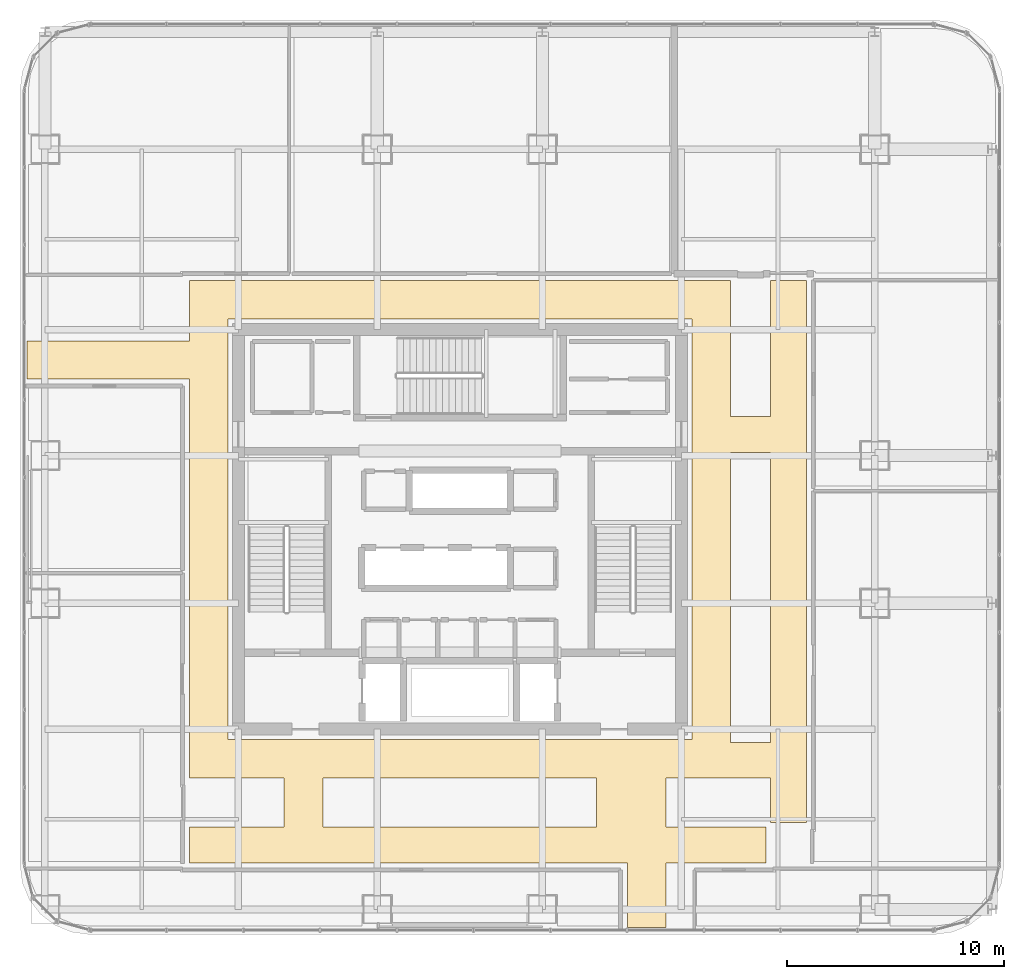
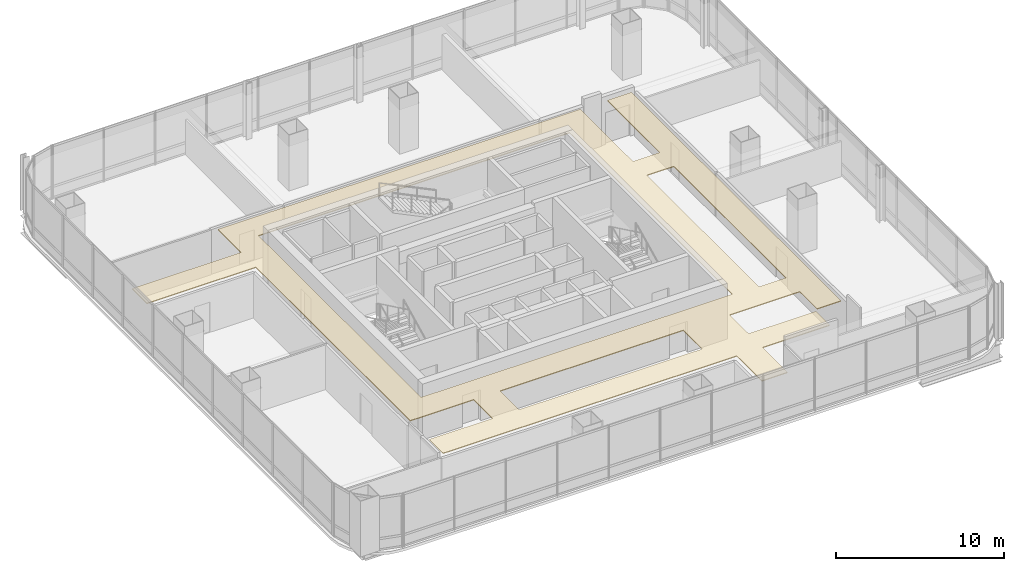
# One storey, part 38 of 40: 1 covering.
"""IFC4 building model written with IfcOpenShell, lengths in metres."""

from ifc_helpers import new_model, si_unit, direction, frame, origin, place, context, subcontext, project, spatial, polyline, outline, extrude, material, layer, layer_set, type_object, element, save


model = new_model("IFC4")

# Units and contexts
model_context = context("Model", 3, precision=1e-05, world=origin(), true_north=direction((0.0, 1.0)))
body_context = subcontext(model_context, "Body", "Model", "MODEL_VIEW")
ifc_project = project(units=[si_unit("LENGTHUNIT", "METRE"), si_unit("AREAUNIT", "SQUARE_METRE"), si_unit("VOLUMEUNIT", "CUBIC_METRE"), si_unit("PLANEANGLEUNIT", "RADIAN"), si_unit("MASSUNIT", "GRAM", prefix="KILO")], contexts=[model_context])

# Site, building, storey
site_placement = place(None, origin())
site = spatial("IfcSite", under=ifc_project, at=site_placement, CompositionType="ELEMENT")
building_placement = place(site_placement, origin())
building = spatial("IfcBuilding", under=site, at=building_placement, Name="Punatoya Terracotta Tower", CompositionType="ELEMENT")
storey_placement = place(building_placement, frame((0.0, 0.0, 271.64990234375)))
storey = spatial("IfcBuildingStorey", under=building, at=storey_placement, Name="L64", CompositionType="ELEMENT", Elevation=271.64990234375)

# Covering
ifc_material = material(Name="Acoustic Mineral Fibre Ceiling")
ifc_layer = layer(ifc_material, 0.06005859375)
ifc_layer_set = layer_set([ifc_layer], Name="Acoustic Mineral Fibre Ceiling")
covering_type = type_object("IfcCoveringType", Name="COV-CEIL-60", PredefinedType="CEILING", material=ifc_layer_set)
covering_placement = place(storey_placement, frame((0.0, 0.0, 3.239990234375)))
element("IfcCovering", 1, at=covering_placement, inside=storey, type_object=covering_type, Name="L64 Loop Circulation Corridor Acoustic Ceiling", PredefinedType="CEILING", context=body_context, shape_type="SweptSolid", body=[
    extrude(outline(polyline([(14.10009765625, -13.699951171875), (9.47998046875, -13.699951171875), (9.47998046875, -11.449951171875), (14.300048828125, -11.449951171875), (14.300048828125, -13.5), (15.949951171875, -13.5), (15.949951171875, 11.449951171875), (14.300048828125, 11.449951171875), (14.300048828125, 5.199951171875), (12.449951171875, 5.199951171875), (12.449951171875, 11.449951171875), (-12.449951171875, 11.449951171875), (-12.449951171875, 8.679931640625), (-19.929931640625, 8.679931640625), (-19.929931640625, 6.919921875), (-12.449951171875, 6.919921875), (-12.449951171875, -11.449951171875), (-8.10009765625, -11.449951171875), (-8.10009765625, -13.699951171875), (-12.449951171875, -13.699951171875), (-12.449951171875, -15.35009765625), (7.719970703125, -15.35009765625), (7.719970703125, -18.330078125), (9.47998046875, -18.330078125), (9.47998046875, -15.35009765625), (14.10009765625, -15.35009765625), (14.10009765625, -13.699951171875)]), holes=[polyline([(12.449951171875, 3.550048828125), (14.300048828125, 3.550048828125), (14.300048828125, -9.800048828125), (12.449951171875, -9.800048828125), (12.449951171875, 3.550048828125)]), polyline([(10.679931640625, 9.679931640625), (10.679931640625, -9.679931640625), (-10.679931640625, -9.679931640625), (-10.679931640625, 9.679931640625), (10.679931640625, 9.679931640625)]), polyline([(6.300048828125, -13.699951171875), (-6.300048828125, -13.699951171875), (-6.300048828125, -11.449951171875), (6.300048828125, -11.449951171875), (6.300048828125, -13.699951171875)])]), origin(), (0.0, 0.0, 1.0), 0.06005859375),
])

save(model, "model.ifc")
